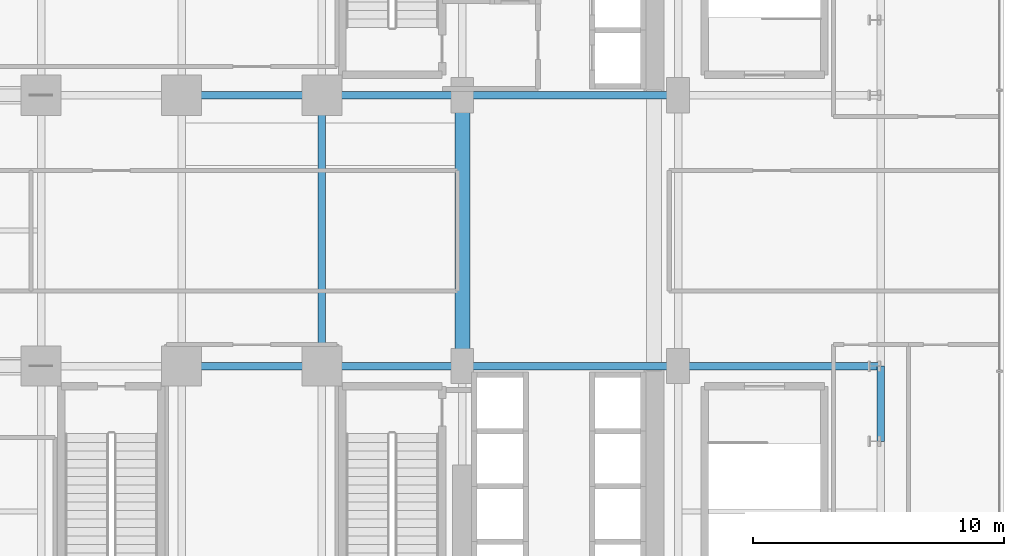
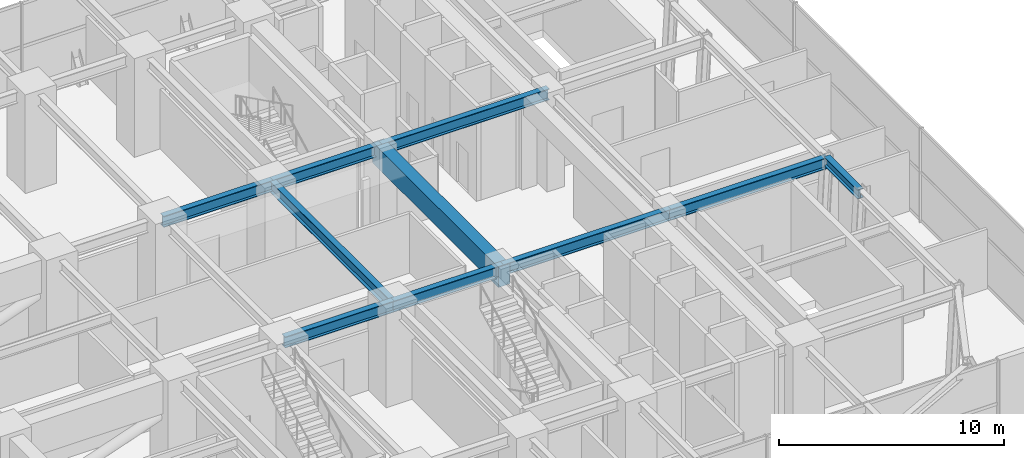
# One storey, part 10 of 29: 10 beams.
"""IFC4 building model written with IfcOpenShell, lengths in metres."""

from ifc_helpers import new_model, si_unit, direction, frame, origin, origin_2d, place, context, subcontext, project, spatial, rectangle, i_section, extrude, source, transform, mapped, material, material_profile, profile_set, type_object, element, save


model = new_model("IFC4")

# Units and contexts
model_context = context("Model", 3, precision=1e-05, world=origin(), true_north=direction((0.0, 1.0)))
body_context = subcontext(model_context, "Body", "Model", "MODEL_VIEW")
ifc_project = project(units=[si_unit("LENGTHUNIT", "METRE"), si_unit("AREAUNIT", "SQUARE_METRE"), si_unit("VOLUMEUNIT", "CUBIC_METRE"), si_unit("PLANEANGLEUNIT", "RADIAN"), si_unit("MASSUNIT", "GRAM", prefix="KILO")], contexts=[model_context])

# Site, building, storey
site_placement = place(None, origin())
site = spatial("IfcSite", under=ifc_project, at=site_placement, CompositionType="ELEMENT")
building_placement = place(site_placement, origin())
building = spatial("IfcBuilding", under=site, at=building_placement, Name="Nahalor Promenade Grand Hotel", CompositionType="ELEMENT")
storey_placement = place(building_placement, frame((0.0, 0.0, 27.0)))
storey = spatial("IfcBuildingStorey", under=building, at=storey_placement, Name="L05", CompositionType="ELEMENT", Elevation=27.0)

# Beams
ifc_material_1 = material(Name="Concrete B-60 (C50/60)", Category="concrete")
ifc_material_profile_1 = material_profile(ifc_material_1, rectangle(XDim=0.6, YDim=1.1, at=origin_2d()), Name="RC 600x1100")
ifc_profile_set_1 = profile_set([ifc_material_profile_1], Name="Concrete B-60 (C50/60)")
beam_type_1 = type_object("IfcBeamType", Name="Beam-Lintel-RC1100", PredefinedType="LINTEL", material=ifc_profile_set_1)
shared_shape_1 = source(origin(), body_context, "Body", "SweptSolid", [
    extrude(rectangle(XDim=0.6, YDim=1.1, at=origin_2d()), origin(), (0.0, 0.0, 1.0), 11.2001953125),
])
beam_1_placement = place(storey_placement, frame((8.39990234375, -5.60009765625, 4.570068359375), z_axis=(0.0, 1.0, 0.0), x_axis=(-1.0, 0.0, 0.0)))
element("IfcBeam", 1, at=beam_1_placement, inside=storey, type_object=beam_type_1, Name="BM-L05-LINT-W", PredefinedType="LINTEL", context=body_context, shape_type="MappedRepresentation", body=[
    mapped(shared_shape_1, transform((0.0, 0.0, 0.0), scale=1.0)),
])
ifc_material_2 = material(Name="Steel S355JR", Category="steel")
ifc_material_profile_2 = material_profile(ifc_material_2, i_section(OverallWidth=0.3, OverallDepth=0.6, WebThickness=0.0155, FlangeThickness=0.03, at=origin_2d()), Name="HEB 600")
ifc_profile_set_2 = profile_set([ifc_material_profile_2], Name="Steel S355JR")
beam_type_2 = type_object("IfcBeamType", Name="Beam-Girder-HEB600", PredefinedType="BEAM", material=ifc_profile_set_2)
shared_shape_2 = source(origin(), body_context, "Body", "SweptSolid", [
    extrude(i_section(OverallWidth=0.3, OverallDepth=0.6, WebThickness=0.0155, FlangeThickness=0.03, at=origin_2d()), origin(), (0.0, 0.0, 1.0), 8.60009765625),
])
for number, where, z_axis, x_axis, name in (
    (2, (8.39990234375, -5.39990234375, 4.820068359375), (1.0, 0.0, 0.0), (0.0, 1.0, 0.0), "BM-L05-GX-1-5"),
    (3, (8.39990234375, 5.39990234375, 4.820068359375), (1.0, 0.0, 0.0), (0.0, 1.0, 0.0), "BM-L05-GX-2-5"),
):
    element("IfcBeam", number, at=place(storey_placement, frame(where, z_axis=z_axis, x_axis=x_axis)), inside=storey, type_object=beam_type_2, Name=name, PredefinedType="BEAM", context=body_context, shape_type="MappedRepresentation", body=[
        mapped(shared_shape_2, transform((0.0, 0.0, 0.0), scale=1.0)),
    ])
shared_shape_3 = source(origin(), body_context, "Body", "SweptSolid", [
    extrude(i_section(OverallWidth=0.3, OverallDepth=0.6, WebThickness=0.0155, FlangeThickness=0.03, at=origin_2d()), origin(), (0.0, 0.0, 1.0), 5.599853515625),
])
for number, where, z_axis, x_axis, name in (
    (4, (2.800048828125, -5.39990234375, 4.820068359375), (1.0, 0.0, 0.0), (0.0, 1.0, 0.0), "BM-L05-GX-1-4"),
    (5, (2.800048828125, 5.39990234375, 4.820068359375), (1.0, 0.0, 0.0), (0.0, 1.0, 0.0), "BM-L05-GX-2-4"),
):
    element("IfcBeam", number, at=place(storey_placement, frame(where, z_axis=z_axis, x_axis=x_axis)), inside=storey, type_object=beam_type_2, Name=name, PredefinedType="BEAM", context=body_context, shape_type="MappedRepresentation", body=[
        mapped(shared_shape_3, transform((0.0, 0.0, 0.0), scale=1.0)),
    ])
shared_shape_4 = source(origin(), body_context, "Body", "SweptSolid", [
    extrude(i_section(OverallWidth=0.3, OverallDepth=0.6, WebThickness=0.0155, FlangeThickness=0.03, at=origin_2d()), origin(), (0.0, 0.0, 1.0), 5.60009765625),
])
for number, where, z_axis, x_axis, name in (
    (6, (-2.800048828125, -5.39990234375, 4.820068359375), (1.0, 0.0, 0.0), (0.0, 1.0, 0.0), "BM-L05-GX-1-3"),
    (7, (-2.800048828125, 5.39990234375, 4.820068359375), (1.0, 0.0, 0.0), (0.0, 1.0, 0.0), "BM-L05-GX-2-3"),
):
    element("IfcBeam", number, at=place(storey_placement, frame(where, z_axis=z_axis, x_axis=x_axis)), inside=storey, type_object=beam_type_2, Name=name, PredefinedType="BEAM", context=body_context, shape_type="MappedRepresentation", body=[
        mapped(shared_shape_4, transform((0.0, 0.0, 0.0), scale=1.0)),
    ])
shared_shape_5 = source(origin(), body_context, "Body", "SweptSolid", [
    extrude(i_section(OverallWidth=0.3, OverallDepth=0.6, WebThickness=0.0155, FlangeThickness=0.03, at=origin_2d()), origin(), (0.0, 0.0, 1.0), 10.7998046875),
])
beam_2_placement = place(storey_placement, frame((2.800048828125, -5.39990234375, 4.820068359375), z_axis=(0.0, 1.0, 0.0), x_axis=(-1.0, 0.0, 0.0)))
element("IfcBeam", 8, at=beam_2_placement, inside=storey, type_object=beam_type_2, Name="BM-L05-GY-3-2", PredefinedType="BEAM", context=body_context, shape_type="MappedRepresentation", body=[
    mapped(shared_shape_5, transform((0.0, 0.0, 0.0), scale=1.0)),
])
ifc_material_profile_3 = material_profile(ifc_material_2, i_section(OverallWidth=0.3, OverallDepth=0.5, WebThickness=0.0145, FlangeThickness=0.028, at=origin_2d()), Name="HEB 500")
ifc_profile_set_3 = profile_set([ifc_material_profile_3], Name="Steel S355JR")
beam_type_3 = type_object("IfcBeamType", Name="Beam-Spandrel-HEB500", PredefinedType="SPANDREL", material=ifc_profile_set_3)
shared_shape_6 = source(origin(), body_context, "Body", "SweptSolid", [
    extrude(i_section(OverallWidth=0.3, OverallDepth=0.5, WebThickness=0.0145, FlangeThickness=0.028, at=origin_2d()), origin(), (0.0, 0.0, 1.0), 3.0),
])
beam_3_placement = place(storey_placement, frame((25.080078125, -8.39990234375, 4.8701171875), z_axis=(0.0, 1.0, 0.0), x_axis=(-1.0, 0.0, 0.0)))
element("IfcBeam", 9, at=beam_3_placement, inside=storey, type_object=beam_type_3, Name="BM-L05-SP-E-1", PredefinedType="SPANDREL", context=body_context, shape_type="MappedRepresentation", body=[
    mapped(shared_shape_6, transform((0.0, 0.0, 0.0), scale=1.0)),
])
shared_shape_7 = source(origin(), body_context, "Body", "SweptSolid", [
    extrude(i_section(OverallWidth=0.3, OverallDepth=0.6, WebThickness=0.0155, FlangeThickness=0.03, at=origin_2d()), origin(), (0.0, 0.0, 1.0), 8.080078125),
])
beam_4_placement = place(storey_placement, frame((17.0, -5.39990234375, 4.820068359375), z_axis=(1.0, 0.0, 0.0), x_axis=(0.0, 1.0, 0.0)))
element("IfcBeam", 10, at=beam_4_placement, inside=storey, type_object=beam_type_2, Name="BM-L05-GX-1-6", PredefinedType="BEAM", context=body_context, shape_type="MappedRepresentation", body=[
    mapped(shared_shape_7, transform((0.0, 0.0, 0.0), scale=1.0)),
])

save(model, "model.ifc")
